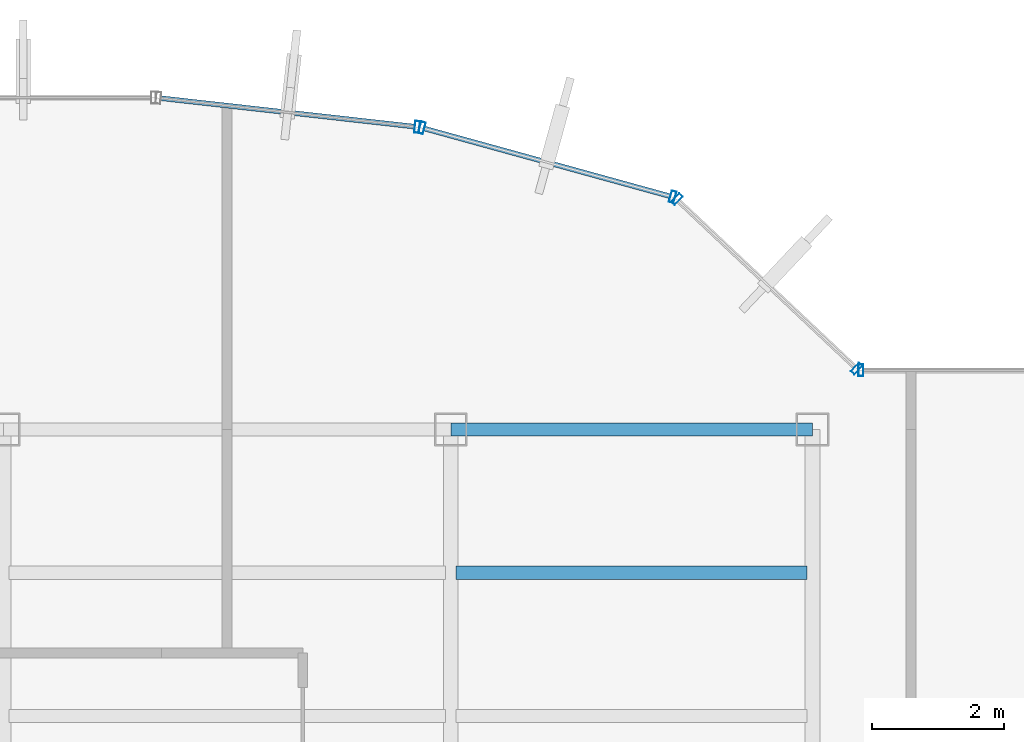
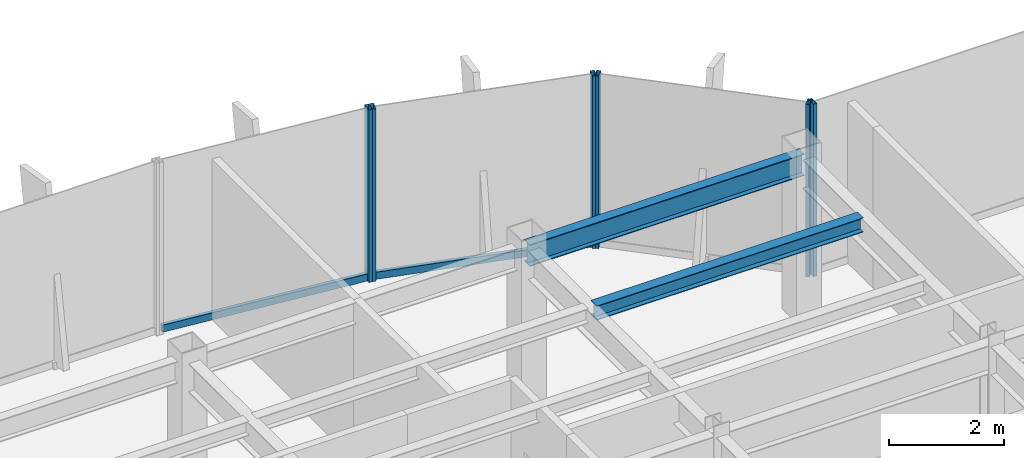
# One storey, part 14 of 22: 8 members, 2 beams, 4 elements without a shape of their own.
"""IFC4 building model written with IfcOpenShell, lengths in metres."""

from ifc_helpers import new_model, si_unit, derived_unit, direction, frame, origin, origin_2d, place, context, subcontext, project, spatial, hollow_rectangle, i_section, extrude, source, transform, mapped, material, material_profile, profile_set, type_object, element, aggregate, save


model = new_model("IFC4")

# Units and contexts
model_context = context("Model", 3, precision=1e-05, world=origin(), true_north=direction((0.0, 1.0)))
body_context = subcontext(model_context, "Body", "Model", "MODEL_VIEW")
ifc_project = project(units=[si_unit("LENGTHUNIT", "METRE"), si_unit("AREAUNIT", "SQUARE_METRE"), si_unit("VOLUMEUNIT", "CUBIC_METRE"), si_unit("PLANEANGLEUNIT", "RADIAN"), si_unit("MASSUNIT", "GRAM", prefix="KILO"), derived_unit("THERMALTRANSMITTANCEUNIT", [(si_unit("POWERUNIT", "WATT"), 1), (si_unit("LENGTHUNIT", "METRE"), -2), (si_unit("THERMODYNAMICTEMPERATUREUNIT", "KELVIN"), -1)])], contexts=[model_context])

# Site, building, storey
site_placement = place(None, origin())
site = spatial("IfcSite", under=ifc_project, at=site_placement, CompositionType="ELEMENT")
building_placement = place(site_placement, origin())
building = spatial("IfcBuilding", under=site, at=building_placement, Name="Skarnbrae Concourse Arena and Tower", CompositionType="ELEMENT")
storey_placement = place(building_placement, frame((0.0, 0.0, 277.050048828125)))
storey = spatial("IfcBuildingStorey", under=building, at=storey_placement, Name="L72", CompositionType="ELEMENT", Elevation=277.050048828125)

# Beams
ifc_material_1 = material(Name="Steel CSA G40.21 350W", Category="steel")
ifc_material_profile_1 = material_profile(ifc_material_1, i_section(OverallWidth=0.19091796875, OverallDepth=0.4599609375, WebThickness=0.010009765625, FlangeThickness=0.01611328125, at=origin_2d()), Name="W460X82")
ifc_profile_set_1 = profile_set([ifc_material_profile_1], Name="Steel CSA G40.21 350W")
beam_type_1 = type_object("IfcBeamType", Name="BM-SPAN-W460X82", PredefinedType="SPANDREL", material=ifc_profile_set_1)
shared_shape_1 = source(origin(), body_context, "Body", "SweptSolid", [
    extrude(i_section(OverallWidth=0.19091796875, OverallDepth=0.4599609375, WebThickness=0.010009765625, FlangeThickness=0.01611328125, at=origin_2d()), origin(), (0.0, 0.0, 1.0), 5.5),
])
beam_1_placement = place(storey_placement, frame((28.0, 34.39990234375, 3.169921875), z_axis=(1.0, 0.0, 0.0), x_axis=(0.0, 1.0, 0.0)))
element("IfcBeam", 1, at=beam_1_placement, inside=storey, type_object=beam_type_1, Name="L72 Perimeter spandrel Y34.4-4", PredefinedType="SPANDREL", context=body_context, shape_type="MappedRepresentation", body=[
    mapped(shared_shape_1, transform((0.0, 0.0, 0.0))),
])
ifc_material_profile_2 = material_profile(ifc_material_1, i_section(OverallWidth=0.202880859375, OverallDepth=0.302978515625, WebThickness=0.007568359375, FlangeThickness=0.01318359375, at=origin_2d()), Name="W310X60")
ifc_profile_set_2 = profile_set([ifc_material_profile_2], Name="Steel CSA G40.21 350W")
beam_type_2 = type_object("IfcBeamType", Name="BM-JOIST-W310X60", PredefinedType="JOIST", material=ifc_profile_set_2)
shared_shape_2 = source(origin(), body_context, "Body", "SweptSolid", [
    extrude(i_section(OverallWidth=0.202880859375, OverallDepth=0.302978515625, WebThickness=0.007568359375, FlangeThickness=0.01318359375, at=origin_2d()), origin(), (0.0, 0.0, 1.0), 5.33984375),
])
beam_2_placement = place(storey_placement, frame((28.080078125, 32.221923828125, 3.24853515625), z_axis=(1.0, 0.0, 0.0), x_axis=(0.0, 1.0, 0.0)))
element("IfcBeam", 2, at=beam_2_placement, inside=storey, type_object=beam_type_2, Name="L72 Secondary floor joist 3.2.4", PredefinedType="JOIST", context=body_context, shape_type="MappedRepresentation", body=[
    mapped(shared_shape_2, transform((0.0, 0.0, 0.0))),
])

# Curtain wall, member
ifc_material_2 = material(Name="Bronze anodised aluminium 6063-T6", Category="aluminium")
curtain_wall_type = type_object("IfcCurtainWallType", Name="CW-SYS-05-HIGHZONE", PredefinedType="USERDEFINED", material=ifc_material_2)
curtain_wall_1_placement = place(storey_placement, origin())
curtain_wall_1 = element("IfcCurtainWall", 3, at=curtain_wall_1_placement, inside=storey, type_object=curtain_wall_type, Name="L72 Unitised curtain wall CW-L72-E07", ObjectType="UNITISED CURTAIN WALL", PredefinedType="USERDEFINED")
ifc_material_profile_3 = material_profile(ifc_material_2, hollow_rectangle(XDim=0.074951171875, YDim=0.179931640625, WallThickness=0.00390625, at=origin_2d()), Name="ALU-MULL-75X180")
ifc_profile_set_3 = profile_set([ifc_material_profile_3], Name="Bronze anodised aluminium 6063-T6")
member_type_1 = type_object("IfcMemberType", Name="CWM-CW-05", PredefinedType="MULLION", material=ifc_profile_set_3)
shared_shape_3 = source(origin(), body_context, "Body", "SweptSolid", [
    extrude(hollow_rectangle(XDim=0.074951171875, YDim=0.179931640625, WallThickness=0.00390625, at=origin_2d()), origin(), (0.0, 0.0, 1.0), 3.64990234375),
])
member_1_placement = place(storey_placement, frame((34.237548828125, 35.300048828125, 0.0), z_axis=(0.0, 0.0, 1.0), x_axis=(-1.0, 0.0, 0.0)))
member_1 = element("IfcMember", 4, at=member_1_placement, type_object=member_type_1, Name="CW-L72-E07 Mullion 2", PredefinedType="MULLION", context=body_context, shape_type="MappedRepresentation", body=[
    mapped(shared_shape_3, transform((0.0, 0.0, 0.0))),
])
aggregate(curtain_wall_1, [member_1])

# Curtain wall, members
curtain_wall_2_placement = place(storey_placement, origin())
curtain_wall_2 = element("IfcCurtainWall", 5, at=curtain_wall_2_placement, inside=storey, type_object=curtain_wall_type, Name="L72 Unitised curtain wall CW-L72-E08", ObjectType="UNITISED CURTAIN WALL", PredefinedType="USERDEFINED")
member_2_placement = place(storey_placement, frame((34.172607421875, 35.32568359375, 0.0), z_axis=(0.0, 0.0, 1.0), x_axis=(-0.728130555214, 0.685438468838, 0.0)))
member_2 = element("IfcMember", 6, at=member_2_placement, type_object=member_type_1, Name="CW-L72-E08 Mullion 1", PredefinedType="MULLION", context=body_context, shape_type="MappedRepresentation", body=[
    mapped(shared_shape_3, transform((0.0, 0.0, 0.0))),
])
member_3_placement = place(storey_placement, frame((31.43701171875, 37.90087890625, 0.0), z_axis=(0.0, 0.0, 1.0), x_axis=(-0.728130555214, 0.685438468838, 0.0)))
member_3 = element("IfcMember", 7, at=member_3_placement, type_object=member_type_1, Name="CW-L72-E08 Mullion 2", PredefinedType="MULLION", context=body_context, shape_type="MappedRepresentation", body=[
    mapped(shared_shape_3, transform((0.0, 0.0, 0.0))),
])
aggregate(curtain_wall_2, [member_2, member_3])

curtain_wall_3_placement = place(storey_placement, origin())
curtain_wall_3 = element("IfcCurtainWall", 8, at=curtain_wall_3_placement, inside=storey, type_object=curtain_wall_type, Name="L72 Unitised curtain wall CW-L72-E09", ObjectType="UNITISED CURTAIN WALL", PredefinedType="USERDEFINED")
member_4_placement = place(storey_placement, frame((31.37353515625, 37.936767578125, 0.0), z_axis=(0.0, 0.0, 1.0), x_axis=(-0.964057388766, 0.265694093207, 0.0)))
member_4 = element("IfcMember", 9, at=member_4_placement, type_object=member_type_1, Name="CW-L72-E09 Mullion 1", PredefinedType="MULLION", context=body_context, shape_type="MappedRepresentation", body=[
    mapped(shared_shape_3, transform((0.0, 0.0, 0.0))),
])
member_5_placement = place(storey_placement, frame((27.56201171875, 38.987060546875, 0.0), z_axis=(0.0, 0.0, 1.0), x_axis=(-0.964057388766, 0.265694093207, 0.0)))
member_5 = element("IfcMember", 10, at=member_5_placement, type_object=member_type_1, Name="CW-L72-E09 Mullion 2", PredefinedType="MULLION", context=body_context, shape_type="MappedRepresentation", body=[
    mapped(shared_shape_3, transform((0.0, 0.0, 0.0))),
])

# Curtain wall, member
curtain_wall_4_placement = place(storey_placement, origin())
curtain_wall_4 = element("IfcCurtainWall", 11, at=curtain_wall_4_placement, inside=storey, type_object=curtain_wall_type, Name="L72 Unitised curtain wall CW-L72-E10", ObjectType="UNITISED CURTAIN WALL", PredefinedType="USERDEFINED")
member_6_placement = place(storey_placement, frame((27.488525390625, 39.001220703125, 0.0), z_axis=(0.0, 0.0, 1.0), x_axis=(-0.993768891873, 0.111460259941, 0.0)))
member_6 = element("IfcMember", 12, at=member_6_placement, type_object=member_type_1, Name="CW-L72-E10 Mullion 1", PredefinedType="MULLION", context=body_context, shape_type="MappedRepresentation", body=[
    mapped(shared_shape_3, transform((0.0, 0.0, 0.0))),
])

# Member
ifc_material_profile_4 = material_profile(ifc_material_2, hollow_rectangle(XDim=0.074951171875, YDim=0.14990234375, WallThickness=0.00390625, at=origin_2d()), Name="ALU-TRAN-75X150")
ifc_profile_set_4 = profile_set([ifc_material_profile_4], Name="Bronze anodised aluminium 6063-T6")
member_type_2 = type_object("IfcMemberType", Name="CWT-CW-05", PredefinedType="USERDEFINED", material=ifc_profile_set_4)
shared_shape_4 = source(origin(), body_context, "Body", "SweptSolid", [
    extrude(hollow_rectangle(XDim=0.074951171875, YDim=0.14990234375, WallThickness=0.00390625, at=origin_2d()), origin(), (0.0, 0.0, 1.0), 3.878662109375),
])
member_7_placement = place(storey_placement, frame((31.33740234375, 37.946533203125, 0.074951171875), z_axis=(-0.964042677713, 0.265747465742, 0.0), x_axis=(-0.265747465742, -0.964042677713, 0.0)))
member_7 = element("IfcMember", 13, at=member_7_placement, type_object=member_type_2, Name="CW-L72-E09 Transom 1", ObjectType="TRANSOM", PredefinedType="USERDEFINED", context=body_context, shape_type="MappedRepresentation", body=[
    mapped(shared_shape_4, transform((0.0, 0.0, 0.0))),
])

aggregate(curtain_wall_3, [member_4, member_5, member_7])

shared_shape_5 = source(origin(), body_context, "Body", "SweptSolid", [
    extrude(hollow_rectangle(XDim=0.074951171875, YDim=0.14990234375, WallThickness=0.00390625, at=origin_2d()), origin(), (0.0, 0.0, 1.0), 3.8837890625),
])
member_8_placement = place(storey_placement, frame((27.451416015625, 39.005615234375, 0.074951171875), z_axis=(-0.993776714154, 0.111390495128, 0.0), x_axis=(-0.111390495128, -0.993776714154, 0.0)))
member_8 = element("IfcMember", 14, at=member_8_placement, type_object=member_type_2, Name="CW-L72-E10 Transom 1", ObjectType="TRANSOM", PredefinedType="USERDEFINED", context=body_context, shape_type="MappedRepresentation", body=[
    mapped(shared_shape_5, transform((0.0, 0.0, 0.0))),
])

aggregate(curtain_wall_4, [member_6, member_8])

save(model, "model.ifc")
